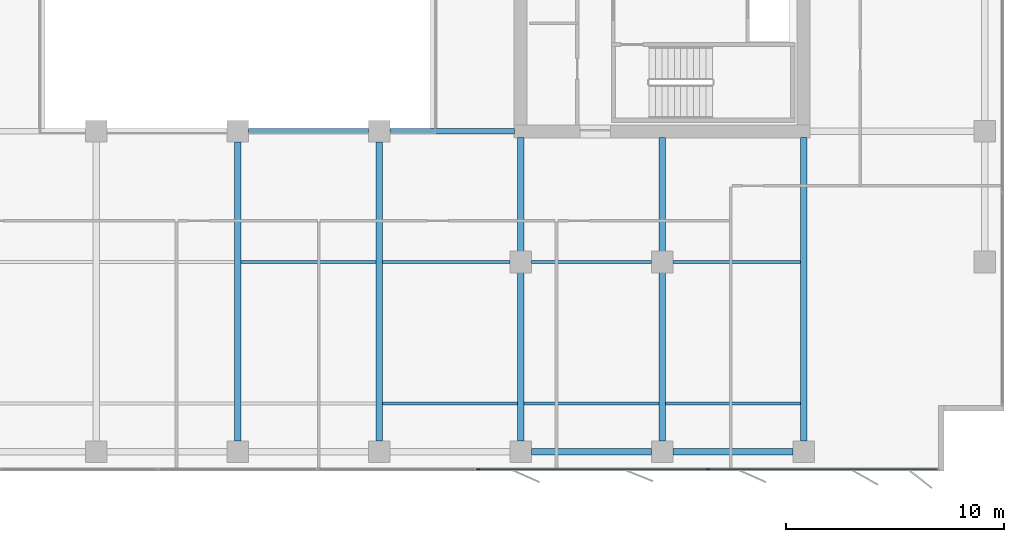
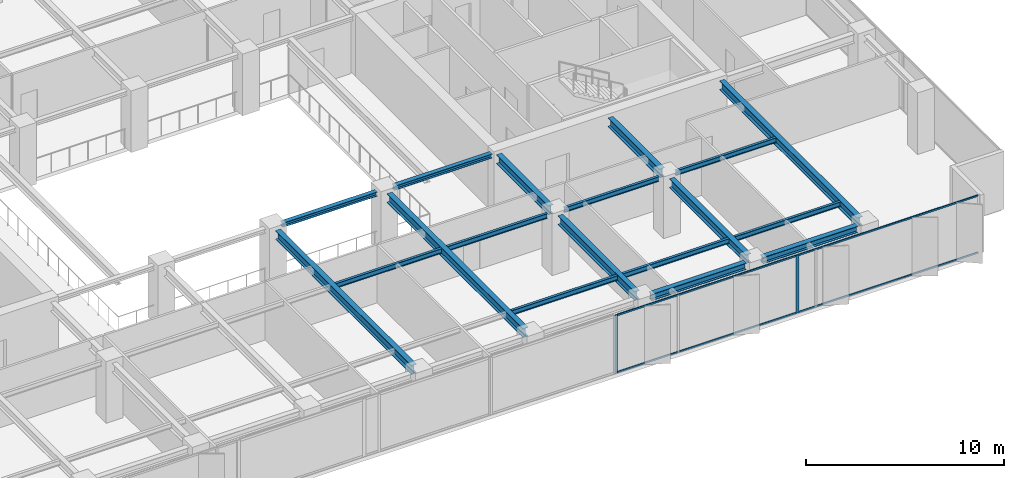
# One storey, part 6 of 22: 18 beams, 6 members, 1 element without a shape of its own.
"""IFC4 building model written with IfcOpenShell, lengths in metres."""

from ifc_helpers import new_model, si_unit, direction, frame, origin, origin_2d, place, context, subcontext, project, spatial, rectangle, i_section, extrude, material, layer, layer_set, material_profile, profile_set, type_object, element, aggregate, save


model = new_model("IFC4")

# Units and contexts
model_context = context("Model", 3, precision=1e-05, world=origin(), true_north=direction((0.0, 1.0)))
body_context = subcontext(model_context, "Body", "Model", "MODEL_VIEW")
ifc_project = project(units=[si_unit("LENGTHUNIT", "METRE"), si_unit("AREAUNIT", "SQUARE_METRE"), si_unit("VOLUMEUNIT", "CUBIC_METRE"), si_unit("PLANEANGLEUNIT", "RADIAN"), si_unit("MASSUNIT", "GRAM", prefix="KILO")], contexts=[model_context])

# Site, building, storey
site_placement = place(None, origin())
site = spatial("IfcSite", under=ifc_project, at=site_placement, CompositionType="ELEMENT")
building_placement = place(site_placement, origin())
building = spatial("IfcBuilding", under=site, at=building_placement, Name="Putna Gate Headquarters", CompositionType="ELEMENT")
storey_placement = place(building_placement, frame((0.0, 0.0, 170.800048828125)))
storey = spatial("IfcBuildingStorey", under=building, at=storey_placement, Name="L42", CompositionType="ELEMENT", Elevation=170.800048828125)

# Beams
ifc_material_1 = material(Name="Steel S355J2", Category="steel")
ifc_material_profile_1 = material_profile(ifc_material_1, i_section(OverallWidth=0.260009765625, OverallDepth=0.260009765625, WebThickness=0.010009765625, FlangeThickness=0.017578125, at=origin_2d()), Name="Steel S355J2")
ifc_profile_set_1 = profile_set([ifc_material_profile_1], Name="Steel S355J2")
beam_type_1 = type_object("IfcBeamType", Name="BM-ATRIUM-HEB260", PredefinedType="BEAM", material=ifc_profile_set_1)
beam_1_placement = place(storey_placement, frame((39.488037109375, 19.0, 3.44189453125), z_axis=(1.0, 0.0, 0.0), x_axis=(0.0, 1.0, 0.0)))
element("IfcBeam", 1, at=beam_1_placement, inside=storey, type_object=beam_type_1, Name="L42 Atrium Edge Beam AS3", PredefinedType="BEAM", context=body_context, shape_type="SweptSolid", body=[
    extrude(i_section(OverallWidth=0.260009765625, OverallDepth=0.260009765625, WebThickness=0.010009765625, FlangeThickness=0.017578125, at=origin_2d()), origin(), (0.0, 0.0, 1.0), 5.52392578125),
])
beam_2_placement = place(storey_placement, frame((45.988037109375, 19.0, 3.44189453125), z_axis=(1.0, 0.0, 0.0), x_axis=(0.0, 1.0, 0.0)))
element("IfcBeam", 2, at=beam_2_placement, inside=storey, type_object=beam_type_1, Name="L42 Atrium Edge Beam AS4", PredefinedType="BEAM", context=body_context, shape_type="SweptSolid", body=[
    extrude(i_section(OverallWidth=0.260009765625, OverallDepth=0.260009765625, WebThickness=0.010009765625, FlangeThickness=0.017578125, at=origin_2d()), origin(), (0.0, 0.0, 1.0), 5.72705078125),
])
ifc_material_profile_2 = material_profile(ifc_material_1, i_section(OverallWidth=0.300048828125, OverallDepth=0.550048828125, WebThickness=0.014892578125, FlangeThickness=0.029052734375, at=origin_2d()), Name="Steel S355J2")
ifc_profile_set_2 = profile_set([ifc_material_profile_2], Name="Steel S355J2")
beam_type_2 = type_object("IfcBeamType", Name="BM-GIRD-Z3-HEB550", PredefinedType="USERDEFINED", material=ifc_profile_set_2)
for number, where, z_axis, x_axis, name in (
    (3, (39.0, 4.76806640625, 3.296875), (0.0, 1.0, 0.0), (-1.0, 0.0, 0.0), "L42 South Primary Girder X39"),
    (4, (45.5, 4.76806640625, 3.296875), (0.0, 1.0, 0.0), (-1.0, 0.0, 0.0), "L42 South Primary Girder X45"),
):
    element("IfcBeam", number, at=place(storey_placement, frame(where, z_axis=z_axis, x_axis=x_axis)), inside=storey, type_object=beam_type_2, Name=name, ObjectType="GIRDER", PredefinedType="USERDEFINED", context=body_context, shape_type="SweptSolid", body=[
        extrude(i_section(OverallWidth=0.300048828125, OverallDepth=0.550048828125, WebThickness=0.014892578125, FlangeThickness=0.029052734375, at=origin_2d()), origin(), (0.0, 0.0, 1.0), 13.743896484375),
    ])
beam_3_placement = place(storey_placement, frame((52.0, 4.76806640625, 3.296875), z_axis=(0.0, 1.0, 0.0), x_axis=(-1.0, 0.0, 0.0)))
element("IfcBeam", 5, at=beam_3_placement, inside=storey, type_object=beam_type_2, Name="L42 South Primary Girder X52-1", ObjectType="GIRDER", PredefinedType="USERDEFINED", context=body_context, shape_type="SweptSolid", body=[
    extrude(i_section(OverallWidth=0.300048828125, OverallDepth=0.550048828125, WebThickness=0.014892578125, FlangeThickness=0.029052734375, at=origin_2d()), origin(), (0.0, 0.0, 1.0), 7.743896484375),
])
beam_4_placement = place(storey_placement, frame((52.0, 13.488037109375, 3.296875), z_axis=(0.0, 1.0, 0.0), x_axis=(-1.0, 0.0, 0.0)))
element("IfcBeam", 6, at=beam_4_placement, inside=storey, type_object=beam_type_2, Name="L42 South Primary Girder X52-2", ObjectType="GIRDER", PredefinedType="USERDEFINED", context=body_context, shape_type="SweptSolid", body=[
    extrude(i_section(OverallWidth=0.300048828125, OverallDepth=0.550048828125, WebThickness=0.014892578125, FlangeThickness=0.029052734375, at=origin_2d()), origin(), (0.0, 0.0, 1.0), 5.22705078125),
])
beam_5_placement = place(storey_placement, frame((58.5, 4.76806640625, 3.296875), z_axis=(0.0, 1.0, 0.0), x_axis=(-1.0, 0.0, 0.0)))
element("IfcBeam", 7, at=beam_5_placement, inside=storey, type_object=beam_type_2, Name="L42 South Primary Girder X58-1", ObjectType="GIRDER", PredefinedType="USERDEFINED", context=body_context, shape_type="SweptSolid", body=[
    extrude(i_section(OverallWidth=0.300048828125, OverallDepth=0.550048828125, WebThickness=0.014892578125, FlangeThickness=0.029052734375, at=origin_2d()), origin(), (0.0, 0.0, 1.0), 7.743896484375),
])
beam_6_placement = place(storey_placement, frame((58.5, 13.488037109375, 3.296875), z_axis=(0.0, 1.0, 0.0), x_axis=(-1.0, 0.0, 0.0)))
element("IfcBeam", 8, at=beam_6_placement, inside=storey, type_object=beam_type_2, Name="L42 South Primary Girder X58-2", ObjectType="GIRDER", PredefinedType="USERDEFINED", context=body_context, shape_type="SweptSolid", body=[
    extrude(i_section(OverallWidth=0.300048828125, OverallDepth=0.550048828125, WebThickness=0.014892578125, FlangeThickness=0.029052734375, at=origin_2d()), origin(), (0.0, 0.0, 1.0), 5.22705078125),
])
beam_7_placement = place(storey_placement, frame((65.0, 4.76806640625, 3.296875), z_axis=(0.0, 1.0, 0.0), x_axis=(-1.0, 0.0, 0.0)))
element("IfcBeam", 9, at=beam_7_placement, inside=storey, type_object=beam_type_2, Name="L42 South Primary Girder X65", ObjectType="GIRDER", PredefinedType="USERDEFINED", context=body_context, shape_type="SweptSolid", body=[
    extrude(i_section(OverallWidth=0.300048828125, OverallDepth=0.550048828125, WebThickness=0.014892578125, FlangeThickness=0.029052734375, at=origin_2d()), origin(), (0.0, 0.0, 1.0), 13.947021484375),
])
ifc_material_profile_3 = material_profile(ifc_material_1, i_section(OverallWidth=0.14990234375, OverallDepth=0.300048828125, WebThickness=0.007080078125, FlangeThickness=0.0107421875, at=origin_2d()), Name="Steel S355J2")
ifc_profile_set_3 = profile_set([ifc_material_profile_3], Name="Steel S355J2")
beam_type_3 = type_object("IfcBeamType", Name="BM-SEC-Z3-IPE300", PredefinedType="JOIST", material=ifc_profile_set_3)
for number, where, z_axis, x_axis, name in (
    (10, (39.154052734375, 13.0, 3.421875), (1.0, 0.0, 0.0), (0.0, 1.0, 0.0), "L42 South Secondary Beam 5"),
    (11, (45.654052734375, 6.5, 3.421875), (1.0, 0.0, 0.0), (0.0, 1.0, 0.0), "L42 South Secondary Beam 6"),
):
    element("IfcBeam", number, at=place(storey_placement, frame(where, z_axis=z_axis, x_axis=x_axis)), inside=storey, type_object=beam_type_3, Name=name, PredefinedType="JOIST", context=body_context, shape_type="SweptSolid", body=[
        extrude(i_section(OverallWidth=0.14990234375, OverallDepth=0.300048828125, WebThickness=0.007080078125, FlangeThickness=0.0107421875, at=origin_2d()), origin(), (0.0, 0.0, 1.0), 6.19189453125),
    ])
beam_8_placement = place(storey_placement, frame((45.654052734375, 13.0, 3.421875), z_axis=(1.0, 0.0, 0.0), x_axis=(0.0, 1.0, 0.0)))
element("IfcBeam", 12, at=beam_8_placement, inside=storey, type_object=beam_type_3, Name="L42 South Secondary Beam 6", PredefinedType="JOIST", context=body_context, shape_type="SweptSolid", body=[
    extrude(i_section(OverallWidth=0.14990234375, OverallDepth=0.300048828125, WebThickness=0.007080078125, FlangeThickness=0.0107421875, at=origin_2d()), origin(), (0.0, 0.0, 1.0), 5.85791015625),
])
beam_9_placement = place(storey_placement, frame((52.154052734375, 6.5, 3.421875), z_axis=(1.0, 0.0, 0.0), x_axis=(0.0, 1.0, 0.0)))
element("IfcBeam", 13, at=beam_9_placement, inside=storey, type_object=beam_type_3, Name="L42 South Secondary Beam 7", PredefinedType="JOIST", context=body_context, shape_type="SweptSolid", body=[
    extrude(i_section(OverallWidth=0.14990234375, OverallDepth=0.300048828125, WebThickness=0.007080078125, FlangeThickness=0.0107421875, at=origin_2d()), origin(), (0.0, 0.0, 1.0), 6.19189453125),
])
beam_10_placement = place(storey_placement, frame((52.488037109375, 13.0, 3.421875), z_axis=(1.0, 0.0, 0.0), x_axis=(0.0, 1.0, 0.0)))
element("IfcBeam", 14, at=beam_10_placement, inside=storey, type_object=beam_type_3, Name="L42 South Secondary Beam 7", PredefinedType="JOIST", context=body_context, shape_type="SweptSolid", body=[
    extrude(i_section(OverallWidth=0.14990234375, OverallDepth=0.300048828125, WebThickness=0.007080078125, FlangeThickness=0.0107421875, at=origin_2d()), origin(), (0.0, 0.0, 1.0), 5.52392578125),
])
beam_11_placement = place(storey_placement, frame((58.654052734375, 6.5, 3.421875), z_axis=(1.0, 0.0, 0.0), x_axis=(0.0, 1.0, 0.0)))
element("IfcBeam", 15, at=beam_11_placement, inside=storey, type_object=beam_type_3, Name="L42 South Secondary Beam 8", PredefinedType="JOIST", context=body_context, shape_type="SweptSolid", body=[
    extrude(i_section(OverallWidth=0.14990234375, OverallDepth=0.300048828125, WebThickness=0.007080078125, FlangeThickness=0.0107421875, at=origin_2d()), origin(), (0.0, 0.0, 1.0), 6.19189453125),
])
beam_12_placement = place(storey_placement, frame((58.988037109375, 13.0, 3.421875), z_axis=(1.0, 0.0, 0.0), x_axis=(0.0, 1.0, 0.0)))
element("IfcBeam", 16, at=beam_12_placement, inside=storey, type_object=beam_type_3, Name="L42 South Secondary Beam 8", PredefinedType="JOIST", context=body_context, shape_type="SweptSolid", body=[
    extrude(i_section(OverallWidth=0.14990234375, OverallDepth=0.300048828125, WebThickness=0.007080078125, FlangeThickness=0.0107421875, at=origin_2d()), origin(), (0.0, 0.0, 1.0), 5.85791015625),
])
ifc_material_profile_4 = material_profile(ifc_material_1, i_section(OverallWidth=0.300048828125, OverallDepth=0.39990234375, WebThickness=0.013427734375, FlangeThickness=0.02392578125, at=origin_2d()), Name="Steel S355J2")
ifc_profile_set_4 = profile_set([ifc_material_profile_4], Name="Steel S355J2")
beam_type_4 = type_object("IfcBeamType", Name="BM-SPAN-Z3-HEB400", PredefinedType="SPANDREL", material=ifc_profile_set_4)
for number, where, z_axis, x_axis, name in (
    (17, (52.488037109375, 4.280029296875, 3.3720703125), (1.0, 0.0, 0.0), (0.0, 1.0, 0.0), "L42 S Perimeter Spandrel 7"),
    (18, (58.988037109375, 4.280029296875, 3.3720703125), (1.0, 0.0, 0.0), (0.0, 1.0, 0.0), "L42 S Perimeter Spandrel 8"),
):
    element("IfcBeam", number, at=place(storey_placement, frame(where, z_axis=z_axis, x_axis=x_axis)), inside=storey, type_object=beam_type_4, Name=name, PredefinedType="SPANDREL", context=body_context, shape_type="SweptSolid", body=[
        extrude(i_section(OverallWidth=0.300048828125, OverallDepth=0.39990234375, WebThickness=0.013427734375, FlangeThickness=0.02392578125, at=origin_2d()), origin(), (0.0, 0.0, 1.0), 5.52392578125),
    ])

# Curtain wall, members
ifc_material_2 = material(Name="Anodised bronze aluminium curtain wall", Category="aluminium")
ifc_layer = layer(ifc_material_2, 0.159912109375)
ifc_layer_set = layer_set([ifc_layer], Name="Anodised bronze aluminium curtain wall")
curtain_wall_type = type_object("IfcCurtainWallType", Name="CW-SYS-Z3", PredefinedType="USERDEFINED", material=ifc_layer_set)
curtain_wall_placement = place(storey_placement, origin())
curtain_wall = element("IfcCurtainWall", 19, at=curtain_wall_placement, inside=storey, type_object=curtain_wall_type, Name="L42 South East Curtain Wall", ObjectType="STICK CURTAIN WALL", PredefinedType="USERDEFINED")
ifc_material_3 = material(Name="Anodised bronze aluminium EN AW-6060", Category="aluminium")
ifc_material_profile_5 = material_profile(ifc_material_3, rectangle(XDim=0.06494140625, YDim=0.159912109375, at=origin_2d()), Name="Anodised bronze aluminium EN AW-6060")
ifc_profile_set_5 = profile_set([ifc_material_profile_5], Name="Anodised bronze aluminium EN AW-6060")
member_type_1 = type_object("IfcMemberType", Name="MULL-CWM-3", PredefinedType="MULLION", material=ifc_profile_set_5)
member_1_placement = place(storey_placement, frame((50.032470703125, 3.47998046875, 0.0), z_axis=(0.0, 0.0, 1.0), x_axis=(0.0, 1.0, 0.0)))
member_1 = element("IfcMember", 20, at=member_1_placement, type_object=member_type_1, Name="CWS-3 mullion 1", PredefinedType="MULLION", context=body_context, shape_type="SweptSolid", body=[
    extrude(rectangle(XDim=0.06494140625, YDim=0.159912109375, at=origin_2d()), origin(), (0.0, 0.0, 1.0), 3.572021484375),
])
member_2_placement = place(storey_placement, frame((60.60009765625, 3.47998046875, 0.0), z_axis=(0.0, 0.0, 1.0), x_axis=(0.0, 1.0, 0.0)))
member_2 = element("IfcMember", 21, at=member_2_placement, type_object=member_type_1, Name="CWS-3 mullion 2", PredefinedType="MULLION", context=body_context, shape_type="SweptSolid", body=[
    extrude(rectangle(XDim=0.06494140625, YDim=0.159912109375, at=origin_2d()), origin(), (0.0, 0.0, 1.0), 3.572021484375),
])
ifc_material_profile_6 = material_profile(ifc_material_3, rectangle(XDim=0.06005859375, YDim=0.10009765625, at=origin_2d()), Name="Anodised bronze aluminium EN AW-6060")
ifc_profile_set_6 = profile_set([ifc_material_profile_6], Name="Anodised bronze aluminium EN AW-6060")
member_type_2 = type_object("IfcMemberType", Name="TRAN-CWT-3", PredefinedType="USERDEFINED", material=ifc_profile_set_6)
member_3_placement = place(storey_placement, frame((50.06494140625, 3.47998046875, 0.030029296875), z_axis=(1.0, 0.0, 0.0), x_axis=(0.0, 1.0, 0.0)))
member_3 = element("IfcMember", 22, at=member_3_placement, type_object=member_type_2, Name="CWS-3 transom 1.1", ObjectType="TRANSOM", PredefinedType="USERDEFINED", context=body_context, shape_type="SweptSolid", body=[
    extrude(rectangle(XDim=0.06005859375, YDim=0.10009765625, at=origin_2d()), origin(), (0.0, 0.0, 1.0), 10.50244140625),
])
member_4_placement = place(storey_placement, frame((50.06494140625, 3.47998046875, 3.5419921875), z_axis=(1.0, 0.0, 0.0), x_axis=(0.0, 1.0, 0.0)))
member_4 = element("IfcMember", 23, at=member_4_placement, type_object=member_type_2, Name="CWS-3 transom 1.2", ObjectType="TRANSOM", PredefinedType="USERDEFINED", context=body_context, shape_type="SweptSolid", body=[
    extrude(rectangle(XDim=0.06005859375, YDim=0.10009765625, at=origin_2d()), origin(), (0.0, 0.0, 1.0), 10.50244140625),
])
member_5_placement = place(storey_placement, frame((60.632568359375, 3.47998046875, 0.030029296875), z_axis=(1.0, 0.0, 0.0), x_axis=(0.0, 1.0, 0.0)))
member_5 = element("IfcMember", 24, at=member_5_placement, type_object=member_type_2, Name="CWS-3 transom 2.1", ObjectType="TRANSOM", PredefinedType="USERDEFINED", context=body_context, shape_type="SweptSolid", body=[
    extrude(rectangle(XDim=0.06005859375, YDim=0.10009765625, at=origin_2d()), origin(), (0.0, 0.0, 1.0), 10.50244140625),
])
member_6_placement = place(storey_placement, frame((60.632568359375, 3.47998046875, 3.5419921875), z_axis=(1.0, 0.0, 0.0), x_axis=(0.0, 1.0, 0.0)))
member_6 = element("IfcMember", 25, at=member_6_placement, type_object=member_type_2, Name="CWS-3 transom 2.2", ObjectType="TRANSOM", PredefinedType="USERDEFINED", context=body_context, shape_type="SweptSolid", body=[
    extrude(rectangle(XDim=0.06005859375, YDim=0.10009765625, at=origin_2d()), origin(), (0.0, 0.0, 1.0), 10.50244140625),
])
aggregate(curtain_wall, [member_1, member_2, member_3, member_4, member_5, member_6])

save(model, "model.ifc")
